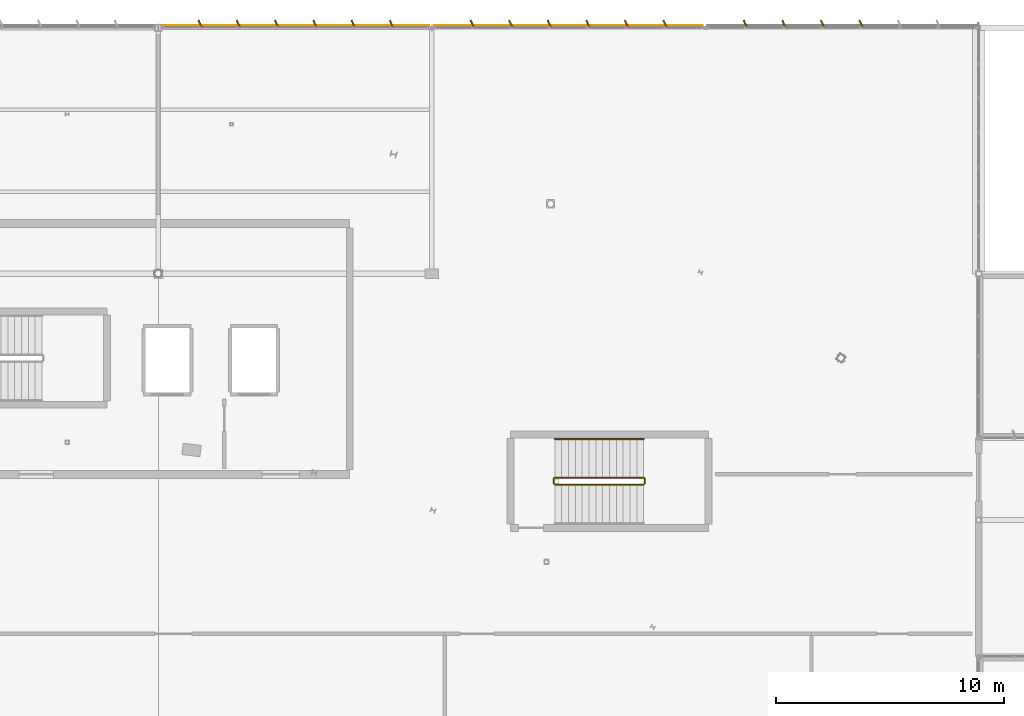
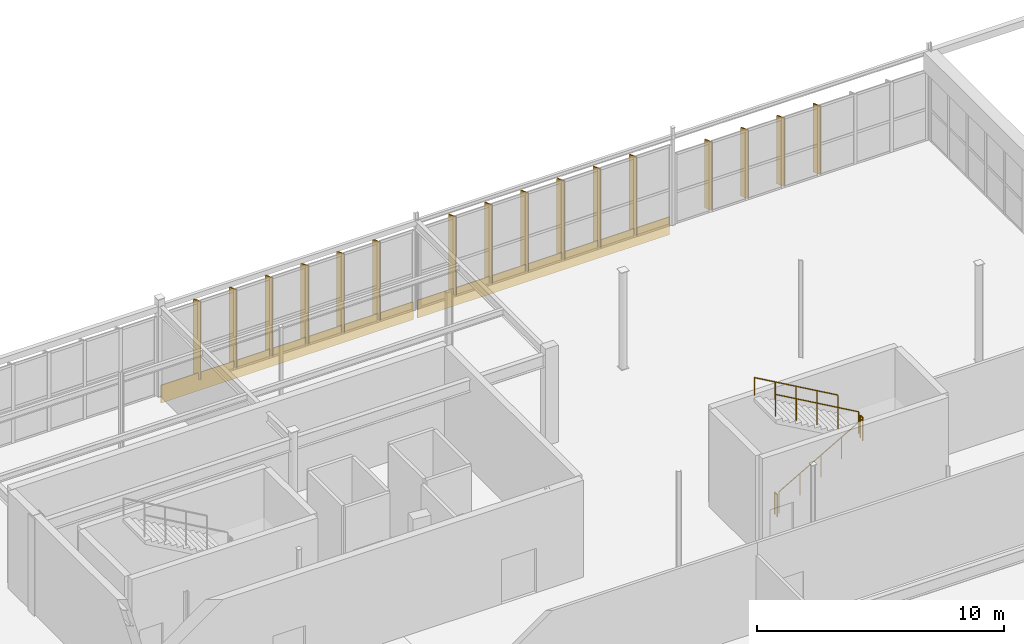
# One storey, part 214 of 226: 16 shading devices, 5 railings, 2 coverings.
"""IFC4 building model written with IfcOpenShell, lengths in metres."""

from ifc_helpers import new_model, si_unit, direction, frame, origin, origin_2d, place, context, subcontext, project, spatial, rectangle, circle, extrude, material, layer, layer_set, type_object, element, save


model = new_model("IFC4")

# Units and contexts
model_context = context("Model", 3, precision=1e-05, world=origin(), true_north=direction((0.0, 1.0)))
body_context = subcontext(model_context, "Body", "Model", "MODEL_VIEW")
ifc_project = project(units=[si_unit("LENGTHUNIT", "METRE"), si_unit("AREAUNIT", "SQUARE_METRE"), si_unit("VOLUMEUNIT", "CUBIC_METRE"), si_unit("PLANEANGLEUNIT", "RADIAN"), si_unit("MASSUNIT", "GRAM", prefix="KILO")], contexts=[model_context])

# Site, building, storey
site_placement = place(None, origin())
site = spatial("IfcSite", under=ifc_project, at=site_placement, CompositionType="ELEMENT")
building_placement = place(site_placement, origin())
building = spatial("IfcBuilding", under=site, at=building_placement, Name="Tarnwether General Hospital", CompositionType="ELEMENT")
storey_placement = place(building_placement, frame((0.0, 0.0, 4.800048828125)))
storey = spatial("IfcBuildingStorey", under=building, at=storey_placement, Name="L01", CompositionType="ELEMENT", Elevation=4.800048828125)

# Coverings
ifc_material_1 = material(Name="Folded zinc-titanium cladding")
ifc_layer_1 = layer(ifc_material_1, 0.0400390625)
ifc_layer_set_1 = layer_set([ifc_layer_1], Name="Folded zinc-titanium cladding")
covering_type = type_object("IfcCoveringType", Name="CV-CLD-ZNC", PredefinedType="CLADDING", material=ifc_layer_set_1)
for number, where, z_axis, x_axis, name in (
    (1, (102.0, 126.090087890625, -0.52001953125), (0.0, 0.0, 1.0), (1.0, 0.0, 0.0), "Diagnostic Base Faceted Zinc Spandrel 073"),
    (2, (114.0, 126.090087890625, -0.52001953125), (0.0, 0.0, 1.0), (1.0, 0.0, 0.0), "Diagnostic Base Faceted Zinc Spandrel 074"),
):
    element("IfcCovering", number, at=place(storey_placement, frame(where, z_axis=z_axis, x_axis=x_axis)), inside=storey, type_object=covering_type, Name=name, PredefinedType="CLADDING", context=body_context, shape_type="SweptSolid", body=[
        extrude(rectangle(XDim=11.800048828125, YDim=0.0400390625, at=origin_2d()), origin(), (0.0, 0.0, 1.0), 0.8798828125),
    ])

# Railings
ifc_material_2 = material(Name="Anodised aluminium", Category="aluminium")
railing_type_1 = type_object("IfcRailingType", Name="RL-GRD-INT", PredefinedType="GUARDRAIL", material=ifc_material_2)
railing_1_placement = place(storey_placement, frame((113.39990234375, 105.949951171875, 0.17138671875)))
element("IfcRailing", 3, at=railing_1_placement, inside=storey, type_object=railing_type_1, Name="L01 ST-08 stair guard 1", PredefinedType="GUARDRAIL", context=body_context, shape_type="SweptSolid", body=[
    extrude(circle(Radius=0.02392578125, at=origin_2d()), frame((0.0, 0.0, 1.076171875), z_axis=(0.868256520506, 0.0, 0.496115525457), x_axis=(0.0, 1.0, 0.0)), (0.0, 0.0, 1.0), 4.491943359375),
    extrude(circle(Radius=0.02099609375, at=origin_2d()), origin(), (0.0, 0.0, 1.0), 1.052001953125),
    extrude(circle(Radius=0.02099609375, at=origin_2d()), frame((0.97509765625, 0.0, 0.55712890625)), (0.0, 0.0, 1.0), 1.052001953125),
    extrude(circle(Radius=0.02099609375, at=origin_2d()), frame((1.9501953125, 0.0, 1.1142578125)), (0.0, 0.0, 1.0), 1.052001953125),
    extrude(circle(Radius=0.02099609375, at=origin_2d()), frame((2.925048828125, 0.0, 1.67138671875)), (0.0, 0.0, 1.0), 1.052001953125),
    extrude(circle(Radius=0.02099609375, at=origin_2d()), frame((3.900146484375, 0.0, 2.228515625)), (0.0, 0.0, 1.0), 1.052001953125),
])
railing_2_placement = place(storey_placement, frame((117.35009765625, 106.0, 2.39990234375)))
element("IfcRailing", 4, at=railing_2_placement, inside=storey, type_object=railing_type_1, Name="L01 ST-08 stair guard 2", PredefinedType="GUARDRAIL", context=body_context, shape_type="SweptSolid", body=[
    extrude(circle(Radius=0.02392578125, at=origin_2d()), frame((0.0, 0.0, 1.076171875), z_axis=(0.0, 1.0, 0.0), x_axis=(-1.0, 0.0, 0.0)), (0.0, 0.0, 1.0), 0.199951171875),
    extrude(circle(Radius=0.02099609375, at=origin_2d()), origin(), (0.0, 0.0, 1.0), 1.052001953125),
    extrude(circle(Radius=0.02099609375, at=origin_2d()), frame((0.0, 0.199951171875, 0.0)), (0.0, 0.0, 1.0), 1.052001953125),
])
railing_3_placement = place(storey_placement, frame((117.300048828125, 106.25, 2.5712890625)))
element("IfcRailing", 5, at=railing_3_placement, inside=storey, type_object=railing_type_1, Name="L01 ST-08 stair guard 3", PredefinedType="GUARDRAIL", context=body_context, shape_type="SweptSolid", body=[
    extrude(circle(Radius=0.02392578125, at=origin_2d()), frame((0.0, 0.0, 1.076171875), z_axis=(-0.868233108195, 0.0, 0.496156497321), x_axis=(0.0, -1.0, 0.0)), (0.0, 0.0, 1.0), 4.491943359375),
    extrude(circle(Radius=0.02099609375, at=origin_2d()), origin(), (0.0, 0.0, 1.0), 1.052001953125),
    extrude(circle(Radius=0.02099609375, at=origin_2d()), frame((-0.97509765625, 0.0, 0.55712890625)), (0.0, 0.0, 1.0), 1.052001953125),
    extrude(circle(Radius=0.02099609375, at=origin_2d()), frame((-1.9501953125, 0.0, 1.1142578125)), (0.0, 0.0, 1.0), 1.052001953125),
    extrude(circle(Radius=0.02099609375, at=origin_2d()), frame((-2.925048828125, 0.0, 1.671630859375)), (0.0, 0.0, 1.0), 1.052001953125),
    extrude(circle(Radius=0.02099609375, at=origin_2d()), frame((-3.900146484375, 0.0, 2.228759765625)), (0.0, 0.0, 1.0), 1.052001953125),
])
railing_4_placement = place(storey_placement, frame((113.35009765625, 106.0, 0.0)))
element("IfcRailing", 6, at=railing_4_placement, inside=storey, type_object=railing_type_1, Name="L01 ST-08 stair guard 4", PredefinedType="GUARDRAIL", context=body_context, shape_type="SweptSolid", body=[
    extrude(circle(Radius=0.02392578125, at=origin_2d()), frame((0.0, 0.0, 1.076171875), z_axis=(0.0, 1.0, 0.0), x_axis=(-1.0, 0.0, 0.0)), (0.0, 0.0, 1.0), 0.199951171875),
    extrude(circle(Radius=0.02099609375, at=origin_2d()), origin(), (0.0, 0.0, 1.0), 1.052001953125),
    extrude(circle(Radius=0.02099609375, at=origin_2d()), frame((0.0, 0.199951171875, 0.0)), (0.0, 0.0, 1.0), 1.052001953125),
])
ifc_material_3 = material(Name="Anodised aluminium", Category="aluminium")
railing_type_2 = type_object("IfcRailingType", Name="RL-HND-INT", PredefinedType="HANDRAIL", material=ifc_material_3)
railing_5_placement = place(storey_placement, frame((117.300048828125, 107.949951171875, 2.5712890625)))
element("IfcRailing", 7, at=railing_5_placement, inside=storey, type_object=railing_type_2, Name="L01 ST-08 stair handrail 2", PredefinedType="HANDRAIL", context=body_context, shape_type="SweptSolid", body=[
    extrude(circle(Radius=0.02392578125, at=origin_2d()), frame((0.0, 0.0, 0.8759765625), z_axis=(-0.868233108195, 0.0, 0.496156497321), x_axis=(0.0, -1.0, 0.0)), (0.0, 0.0, 1.0), 4.491943359375),
    extrude(circle(Radius=0.02099609375, at=origin_2d()), origin(), (0.0, 0.0, 1.0), 0.851806640625),
    extrude(circle(Radius=0.02099609375, at=origin_2d()), frame((-0.97509765625, 0.0, 0.55712890625)), (0.0, 0.0, 1.0), 0.851806640625),
    extrude(circle(Radius=0.02099609375, at=origin_2d()), frame((-1.9501953125, 0.0, 1.1142578125)), (0.0, 0.0, 1.0), 0.851806640625),
    extrude(circle(Radius=0.02099609375, at=origin_2d()), frame((-2.925048828125, 0.0, 1.671630859375)), (0.0, 0.0, 1.0), 0.851806640625),
    extrude(circle(Radius=0.02099609375, at=origin_2d()), frame((-3.900146484375, 0.0, 2.228759765625)), (0.0, 0.0, 1.0), 0.851806640625),
])

# Shading devices
ifc_material_4 = material(Name="Champagne-bronze anodised aluminium", Category="aluminium")
ifc_layer_2 = layer(ifc_material_4, 0.06005859375)
ifc_layer_set_2 = layer_set([ifc_layer_2], Name="Champagne-bronze anodised aluminium")
shading_device_type = type_object("IfcShadingDeviceType", Name="SH-FIN-BRZ", PredefinedType="USERDEFINED", material=ifc_layer_set_2)
for number, where, z_axis, x_axis, name in (
    (8, (97.8369140625, 126.159912109375, 0.0498046875), (0.0, 0.0, 1.0), (0.906307787037, 0.422618261741, 0.0), "Champagne-Bronze Brise-Soleil Fin 0212"),
    (9, (99.51611328125, 126.159912109375, 0.0498046875), (0.0, 0.0, 1.0), (0.906307787037, 0.422618261741, 0.0), "Champagne-Bronze Brise-Soleil Fin 0213"),
    (10, (101.195068359375, 126.159912109375, 0.0498046875), (0.0, 0.0, 1.0), (0.906307787037, 0.422618261741, 0.0), "Champagne-Bronze Brise-Soleil Fin 0214"),
    (11, (102.8740234375, 126.159912109375, 0.0498046875), (0.0, 0.0, 1.0), (0.906307787037, 0.422618261741, 0.0), "Champagne-Bronze Brise-Soleil Fin 0215"),
    (12, (104.552978515625, 126.159912109375, 0.0498046875), (0.0, 0.0, 1.0), (0.906307787037, 0.422618261741, 0.0), "Champagne-Bronze Brise-Soleil Fin 0216"),
    (13, (106.23193359375, 126.159912109375, 0.0498046875), (0.0, 0.0, 1.0), (0.906307787037, 0.422618261741, 0.0), "Champagne-Bronze Brise-Soleil Fin 0217"),
):
    element("IfcShadingDevice", number, at=place(storey_placement, frame(where, z_axis=z_axis, x_axis=x_axis)), inside=storey, type_object=shading_device_type, Name=name, ObjectType="SOLAR FIN", PredefinedType="USERDEFINED", context=body_context, shape_type="SweptSolid", body=[
        extrude(rectangle(XDim=0.06005859375, YDim=0.360107421875, at=origin_2d()), origin(), (0.0, 0.0, 1.0), 3.8701171875),
    ])
for number, where, z_axis, x_axis, name in (
    (14, (109.781005859375, 126.159912109375, 0.050048828125), (0.0, 0.0, 1.0), (0.906307787037, 0.422618261741, 0.0), "Champagne-Bronze Brise-Soleil Fin 0218"),
    (15, (111.471923828125, 126.159912109375, 0.050048828125), (0.0, 0.0, 1.0), (0.906307787037, 0.422618261741, 0.0), "Champagne-Bronze Brise-Soleil Fin 0219"),
    (16, (113.1630859375, 126.159912109375, 0.050048828125), (0.0, 0.0, 1.0), (0.906307787037, 0.422618261741, 0.0), "Champagne-Bronze Brise-Soleil Fin 0220"),
    (17, (114.85498046875, 126.159912109375, 0.050048828125), (0.0, 0.0, 1.0), (0.906307787037, 0.422618261741, 0.0), "Champagne-Bronze Brise-Soleil Fin 0221"),
    (18, (116.5458984375, 126.159912109375, 0.050048828125), (0.0, 0.0, 1.0), (0.906307787037, 0.422618261741, 0.0), "Champagne-Bronze Brise-Soleil Fin 0222"),
    (19, (118.238037109375, 126.159912109375, 0.050048828125), (0.0, 0.0, 1.0), (0.906307787037, 0.422618261741, 0.0), "Champagne-Bronze Brise-Soleil Fin 0223"),
):
    element("IfcShadingDevice", number, at=place(storey_placement, frame(where, z_axis=z_axis, x_axis=x_axis)), inside=storey, type_object=shading_device_type, Name=name, ObjectType="SOLAR FIN", PredefinedType="USERDEFINED", context=body_context, shape_type="SweptSolid", body=[
        extrude(rectangle(XDim=0.06005859375, YDim=0.360107421875, at=origin_2d()), origin(), (0.0, 0.0, 1.0), 3.873046875),
    ])
for number, where, z_axis, x_axis, name in (
    (20, (121.762939453125, 126.159912109375, 0.050048828125), (0.0, 0.0, 1.0), (0.906307787037, 0.422618261741, 0.0), "Champagne-Bronze Brise-Soleil Fin 0224"),
    (21, (123.455078125, 126.159912109375, 0.050048828125), (0.0, 0.0, 1.0), (0.906307787037, 0.422618261741, 0.0), "Champagne-Bronze Brise-Soleil Fin 0225"),
    (22, (125.14697265625, 126.159912109375, 0.050048828125), (0.0, 0.0, 1.0), (0.906307787037, 0.422618261741, 0.0), "Champagne-Bronze Brise-Soleil Fin 0226"),
    (23, (126.839111328125, 126.159912109375, 0.050048828125), (0.0, 0.0, 1.0), (0.906307787037, 0.422618261741, 0.0), "Champagne-Bronze Brise-Soleil Fin 0227"),
):
    element("IfcShadingDevice", number, at=place(storey_placement, frame(where, z_axis=z_axis, x_axis=x_axis)), inside=storey, type_object=shading_device_type, Name=name, ObjectType="SOLAR FIN", PredefinedType="USERDEFINED", context=body_context, shape_type="SweptSolid", body=[
        extrude(rectangle(XDim=0.06005859375, YDim=0.360107421875, at=origin_2d()), origin(), (0.0, 0.0, 1.0), 3.3798828125),
    ])

save(model, "model.ifc")
